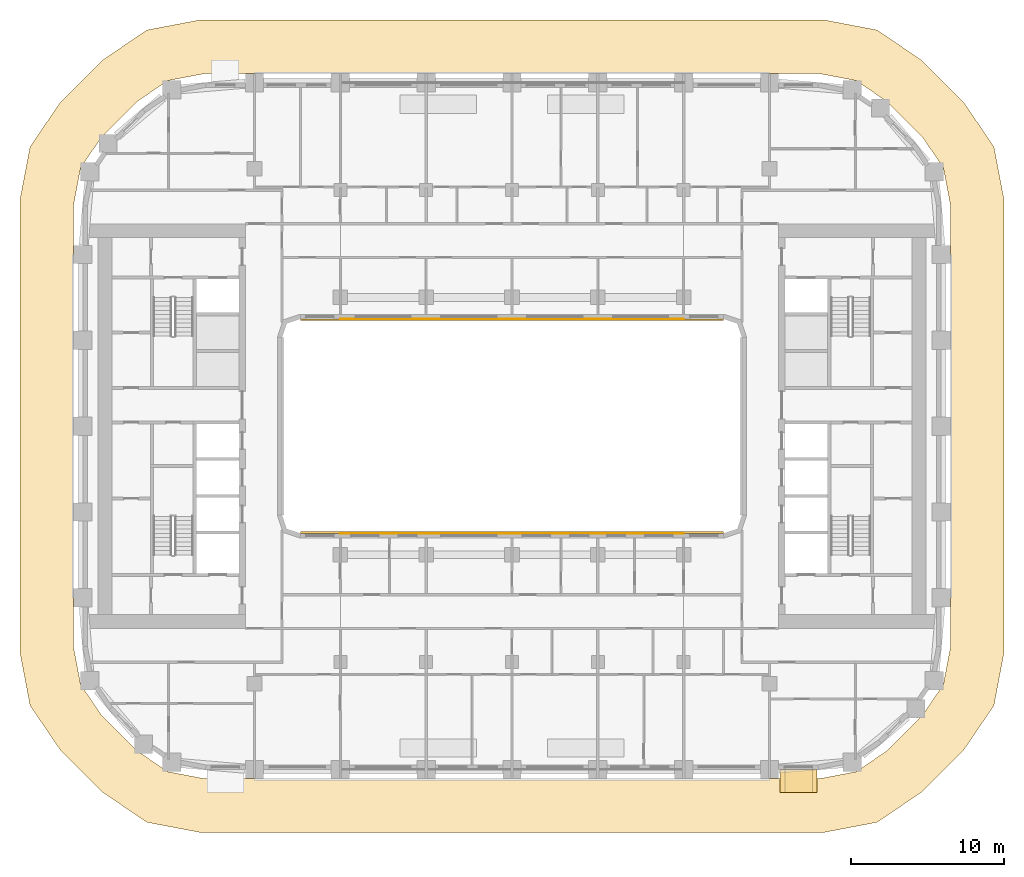
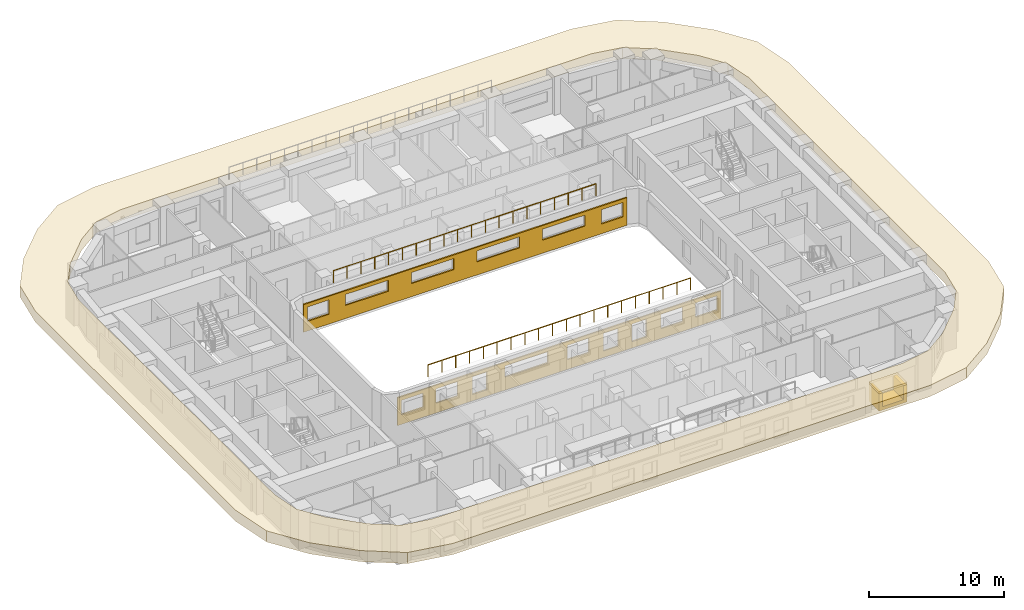
# One storey, part 15 of 18: 5 coverings, 2 railings.
"""IFC4 building model written with IfcOpenShell, lengths in metres."""

from ifc_helpers import new_model, si_unit, direction, frame, origin, origin_2d, place, context, subcontext, project, spatial, polyline, rectangle, circle, outline, extrude, material, layer, layer_set, type_object, element, save


model = new_model("IFC4")

# Units and contexts
model_context = context("Model", 3, precision=1e-05, world=origin(), true_north=direction((0.0, 1.0)))
body_context = subcontext(model_context, "Body", "Model", "MODEL_VIEW")
ifc_project = project(units=[si_unit("LENGTHUNIT", "METRE"), si_unit("AREAUNIT", "SQUARE_METRE"), si_unit("VOLUMEUNIT", "CUBIC_METRE"), si_unit("PLANEANGLEUNIT", "RADIAN"), si_unit("MASSUNIT", "GRAM", prefix="KILO")], contexts=[model_context])

# Site, building, storey
site_placement = place(None, origin())
site = spatial("IfcSite", under=ifc_project, at=site_placement, CompositionType="ELEMENT")
building_placement = place(site_placement, origin())
building = spatial("IfcBuilding", under=site, at=building_placement, Name="Kiln Ring Residences", CompositionType="ELEMENT")
storey_placement = place(building_placement, frame((0.0, 0.0, 121.800048828125)))
storey = spatial("IfcBuildingStorey", under=building, at=storey_placement, Name="L31", CompositionType="ELEMENT", Elevation=121.800048828125)

# Coverings
ifc_material_1 = material(Name="Brick masonry, dark clay brick", Category="masonry")
ifc_layer_1 = layer(ifc_material_1, 0.300048828125)
ifc_layer_set_1 = layer_set([ifc_layer_1], Name="FRAME CHEEKS AND SILL 1500")
covering_type_1 = type_object("IfcCoveringType", Name="FRAME CHEEKS AND SILL 1500", PredefinedType="CLADDING", material=ifc_layer_set_1)
covering_1_placement = place(storey_placement, frame((17.5, -23.14990234375, 0.599853515625), z_axis=(0.0, 0.0, 1.0), x_axis=(1.0, 0.0, 0.0)))
element("IfcCovering", 1, at=covering_1_placement, inside=storey, type_object=covering_type_1, Name="FRAME L31", PredefinedType="CLADDING", context=body_context, shape_type="SweptSolid", body=[
    extrude(outline(polyline([(0.0, 0.0), (2.39990234375, 0.0), (2.39990234375, 1.550048828125), (2.10107421875, 1.550048828125), (2.10009765625, 0.300048828125), (0.300048828125, 0.300048828125), (0.299072265625, 1.550048828125), (0.0, 1.550048828125), (0.0, 0.0)])), frame((0.0, 0.75, 0.0), z_axis=(0.0, -1.0, 0.0), x_axis=(1.0, 0.0, 0.0)), (0.0, 0.0, 1.0), 1.5),
])
ifc_material_2 = material(Name="Brick masonry, dark clay brick", Category="masonry")
ifc_layer_2 = layer(ifc_material_2, 0.199951171875)
ifc_layer_set_2 = layer_set([ifc_layer_2], Name="FRAME HEAD 1500")
covering_type_2 = type_object("IfcCoveringType", Name="FRAME HEAD 1500", PredefinedType="CLADDING", material=ifc_layer_set_2)
covering_2_placement = place(storey_placement, frame((18.699951171875, -23.14990234375, 2.14990234375), z_axis=(0.0, 0.0, 1.0), x_axis=(1.0, 0.0, 0.0)))
element("IfcCovering", 2, at=covering_2_placement, inside=storey, type_object=covering_type_2, Name="FRAME HEAD L31", PredefinedType="CLADDING", context=body_context, shape_type="SweptSolid", body=[
    extrude(rectangle(XDim=2.39990234375, YDim=1.5, at=origin_2d()), origin(), (0.0, 0.0, 1.0), 0.199951171875),
])
ifc_material_3 = material(Name="Brick masonry, dark clay brick", Category="masonry")
ifc_layer_3 = layer(ifc_material_3, 0.1201171875)
ifc_layer_set_3 = layer_set([ifc_layer_3], Name="RAINSCREEN PANEL 120")
covering_type_3 = type_object("IfcCoveringType", Name="RAINSCREEN PANEL 120", PredefinedType="CLADDING", material=ifc_layer_set_3)
covering_3_placement = place(storey_placement, frame((-13.800048828125, 6.93994140625, 0.0), z_axis=(0.0, 0.0, 1.0), x_axis=(1.0, 0.0, 0.0)))
element("IfcCovering", 3, at=covering_3_placement, inside=storey, type_object=covering_type_3, Name="RAINSCREEN L31", PredefinedType="CLADDING", context=body_context, shape_type="SweptSolid", body=[
    extrude(outline(polyline([(0.0, 0.0), (27.60009765625, 0.0), (27.60009765625, 2.5), (0.0, 2.5), (0.0, 0.0)]), holes=[polyline([(2.1826171875, 0.8798828125), (2.1826171875, 2.169921875), (0.342529296875, 2.169921875), (0.342529296875, 0.8798828125), (2.1826171875, 0.8798828125)]), polyline([(25.41748046875, 0.8798828125), (27.257568359375, 0.8798828125), (27.257568359375, 2.169921875), (25.41748046875, 2.169921875), (25.41748046875, 0.8798828125)]), polyline([(3.580078125, 1.179931640625), (7.219970703125, 1.179931640625), (7.219970703125, 2.169921875), (3.580078125, 2.169921875), (3.580078125, 1.179931640625)]), polyline([(12.820068359375, 1.179931640625), (12.820068359375, 2.169921875), (9.179931640625, 2.169921875), (9.179931640625, 1.179931640625), (12.820068359375, 1.179931640625)]), polyline([(14.780029296875, 1.179931640625), (18.419921875, 1.179931640625), (18.419921875, 2.169921875), (14.780029296875, 2.169921875), (14.780029296875, 1.179931640625)]), polyline([(20.3798828125, 1.179931640625), (24.02001953125, 1.179931640625), (24.02001953125, 2.169921875), (20.3798828125, 2.169921875), (20.3798828125, 1.179931640625)])]), frame((0.0, 0.06005859375, 0.0), z_axis=(0.0, -1.0, 0.0), x_axis=(1.0, 0.0, 0.0)), (0.0, 0.0, 1.0), 0.1201171875),
])
covering_4_placement = place(storey_placement, frame((13.800048828125, -6.93994140625, 0.0), z_axis=(0.0, 0.0, 1.0), x_axis=(-1.0, 0.0, 0.0)))
element("IfcCovering", 4, at=covering_4_placement, inside=storey, type_object=covering_type_3, Name="RAINSCREEN L31", PredefinedType="CLADDING", context=body_context, shape_type="SweptSolid", body=[
    extrude(outline(polyline([(0.0, 0.0), (27.60009765625, 0.0), (27.60009765625, 2.5), (0.0, 2.5), (0.0, 0.0)]), holes=[polyline([(6.3798828125, 0.579833984375), (7.6201171875, 0.579833984375), (7.6201171875, 2.169921875), (6.3798828125, 2.169921875), (6.3798828125, 0.579833984375)]), polyline([(8.780029296875, 0.579833984375), (10.02001953125, 0.579833984375), (10.02001953125, 2.169921875), (8.780029296875, 2.169921875), (8.780029296875, 0.579833984375)]), polyline([(19.97998046875, 0.579833984375), (21.219970703125, 0.579833984375), (21.219970703125, 2.169921875), (19.97998046875, 2.169921875), (19.97998046875, 0.579833984375)]), polyline([(0.342529296875, 0.8798828125), (2.1826171875, 0.8798828125), (2.1826171875, 2.169921875), (0.342529296875, 2.169921875), (0.342529296875, 0.8798828125)]), polyline([(3.280029296875, 0.8798828125), (5.1201171875, 0.8798828125), (5.1201171875, 2.169921875), (3.280029296875, 2.169921875), (3.280029296875, 0.8798828125)]), polyline([(11.280029296875, 0.8798828125), (13.1201171875, 0.8798828125), (13.1201171875, 2.169921875), (11.280029296875, 2.169921875), (11.280029296875, 0.8798828125)]), polyline([(22.47998046875, 0.8798828125), (24.320068359375, 0.8798828125), (24.320068359375, 2.169921875), (22.47998046875, 2.169921875), (22.47998046875, 0.8798828125)]), polyline([(25.41748046875, 2.169921875), (25.41748046875, 0.8798828125), (27.257568359375, 0.8798828125), (27.257568359375, 2.169921875), (25.41748046875, 2.169921875)]), polyline([(14.780029296875, 2.169921875), (14.780029296875, 1.179931640625), (18.419921875, 1.179931640625), (18.419921875, 2.169921875), (14.780029296875, 2.169921875)])]), frame((0.0, 0.06005859375, 0.0), z_axis=(0.0, -1.0, 0.0), x_axis=(1.0, 0.0, 0.0)), (0.0, 0.0, 1.0), 0.1201171875),
])

# Railings
ifc_material_4 = material(Name="Black powder-coated steel", Category="steel")
railing_type = type_object("IfcRailingType", Name="ROOF GUARD 1100", PredefinedType="GUARDRAIL", material=ifc_material_4)
railing_1_placement = place(storey_placement, frame((-11.199951171875, 7.0, 3.5)))
element("IfcRailing", 5, at=railing_1_placement, inside=storey, type_object=railing_type, Name="GUARD L31 sky portal terrace", PredefinedType="GUARDRAIL", context=body_context, shape_type="SweptSolid", body=[
    extrude(circle(Radius=0.02392578125, at=origin_2d()), frame((0.0, 0.0, 1.076171875), z_axis=(1.0, 0.0, 0.0), x_axis=(0.0, 1.0, 0.0)), (0.0, 0.0, 1.0), 22.39990234375),
    extrude(circle(Radius=0.02099609375, at=origin_2d()), origin(), (0.0, 0.0, 1.0), 1.052001953125),
    extrude(circle(Radius=0.02099609375, at=origin_2d()), frame((1.178955078125, 0.0, 0.0)), (0.0, 0.0, 1.0), 1.052001953125),
    extrude(circle(Radius=0.02099609375, at=origin_2d()), frame((2.35791015625, 0.0, 0.0)), (0.0, 0.0, 1.0), 1.052001953125),
    extrude(circle(Radius=0.02099609375, at=origin_2d()), frame((3.536865234375, 0.0, 0.0)), (0.0, 0.0, 1.0), 1.052001953125),
    extrude(circle(Radius=0.02099609375, at=origin_2d()), frame((4.7158203125, 0.0, 0.0)), (0.0, 0.0, 1.0), 1.052001953125),
    extrude(circle(Radius=0.02099609375, at=origin_2d()), frame((5.894775390625, 0.0, 0.0)), (0.0, 0.0, 1.0), 1.052001953125),
    extrude(circle(Radius=0.02099609375, at=origin_2d()), frame((7.07373046875, 0.0, 0.0)), (0.0, 0.0, 1.0), 1.052001953125),
    extrude(circle(Radius=0.02099609375, at=origin_2d()), frame((8.252685546875, 0.0, 0.0)), (0.0, 0.0, 1.0), 1.052001953125),
    extrude(circle(Radius=0.02099609375, at=origin_2d()), frame((9.431640625, 0.0, 0.0)), (0.0, 0.0, 1.0), 1.052001953125),
    extrude(circle(Radius=0.02099609375, at=origin_2d()), frame((10.610595703125, 0.0, 0.0)), (0.0, 0.0, 1.0), 1.052001953125),
    extrude(circle(Radius=0.02099609375, at=origin_2d()), frame((11.789306640625, 0.0, 0.0)), (0.0, 0.0, 1.0), 1.052001953125),
    extrude(circle(Radius=0.02099609375, at=origin_2d()), frame((12.96826171875, 0.0, 0.0)), (0.0, 0.0, 1.0), 1.052001953125),
    extrude(circle(Radius=0.02099609375, at=origin_2d()), frame((14.147216796875, 0.0, 0.0)), (0.0, 0.0, 1.0), 1.052001953125),
    extrude(circle(Radius=0.02099609375, at=origin_2d()), frame((15.326171875, 0.0, 0.0)), (0.0, 0.0, 1.0), 1.052001953125),
    extrude(circle(Radius=0.02099609375, at=origin_2d()), frame((16.505126953125, 0.0, 0.0)), (0.0, 0.0, 1.0), 1.052001953125),
    extrude(circle(Radius=0.02099609375, at=origin_2d()), frame((17.68408203125, 0.0, 0.0)), (0.0, 0.0, 1.0), 1.052001953125),
    extrude(circle(Radius=0.02099609375, at=origin_2d()), frame((18.863037109375, 0.0, 0.0)), (0.0, 0.0, 1.0), 1.052001953125),
    extrude(circle(Radius=0.02099609375, at=origin_2d()), frame((20.0419921875, 0.0, 0.0)), (0.0, 0.0, 1.0), 1.052001953125),
    extrude(circle(Radius=0.02099609375, at=origin_2d()), frame((21.220947265625, 0.0, 0.0)), (0.0, 0.0, 1.0), 1.052001953125),
    extrude(circle(Radius=0.02099609375, at=origin_2d()), frame((22.39990234375, 0.0, 0.0)), (0.0, 0.0, 1.0), 1.052001953125),
])
railing_2_placement = place(storey_placement, frame((11.199951171875, -7.0, 3.5)))
element("IfcRailing", 6, at=railing_2_placement, inside=storey, type_object=railing_type, Name="GUARD L31 sky portal terrace", PredefinedType="GUARDRAIL", context=body_context, shape_type="SweptSolid", body=[
    extrude(circle(Radius=0.02392578125, at=origin_2d()), frame((0.0, 0.0, 1.076171875), z_axis=(-1.0, 0.0, 0.0), x_axis=(0.0, -1.0, 0.0)), (0.0, 0.0, 1.0), 22.39990234375),
    extrude(circle(Radius=0.02099609375, at=origin_2d()), origin(), (0.0, 0.0, 1.0), 1.052001953125),
    extrude(circle(Radius=0.02099609375, at=origin_2d()), frame((-1.178955078125, 0.0, 0.0)), (0.0, 0.0, 1.0), 1.052001953125),
    extrude(circle(Radius=0.02099609375, at=origin_2d()), frame((-2.35791015625, 0.0, 0.0)), (0.0, 0.0, 1.0), 1.052001953125),
    extrude(circle(Radius=0.02099609375, at=origin_2d()), frame((-3.536865234375, 0.0, 0.0)), (0.0, 0.0, 1.0), 1.052001953125),
    extrude(circle(Radius=0.02099609375, at=origin_2d()), frame((-4.7158203125, 0.0, 0.0)), (0.0, 0.0, 1.0), 1.052001953125),
    extrude(circle(Radius=0.02099609375, at=origin_2d()), frame((-5.894775390625, 0.0, 0.0)), (0.0, 0.0, 1.0), 1.052001953125),
    extrude(circle(Radius=0.02099609375, at=origin_2d()), frame((-7.07373046875, 0.0, 0.0)), (0.0, 0.0, 1.0), 1.052001953125),
    extrude(circle(Radius=0.02099609375, at=origin_2d()), frame((-8.252685546875, 0.0, 0.0)), (0.0, 0.0, 1.0), 1.052001953125),
    extrude(circle(Radius=0.02099609375, at=origin_2d()), frame((-9.431640625, 0.0, 0.0)), (0.0, 0.0, 1.0), 1.052001953125),
    extrude(circle(Radius=0.02099609375, at=origin_2d()), frame((-10.610595703125, 0.0, 0.0)), (0.0, 0.0, 1.0), 1.052001953125),
    extrude(circle(Radius=0.02099609375, at=origin_2d()), frame((-11.789306640625, 0.0, 0.0)), (0.0, 0.0, 1.0), 1.052001953125),
    extrude(circle(Radius=0.02099609375, at=origin_2d()), frame((-12.96826171875, 0.0, 0.0)), (0.0, 0.0, 1.0), 1.052001953125),
    extrude(circle(Radius=0.02099609375, at=origin_2d()), frame((-14.147216796875, 0.0, 0.0)), (0.0, 0.0, 1.0), 1.052001953125),
    extrude(circle(Radius=0.02099609375, at=origin_2d()), frame((-15.326171875, 0.0, 0.0)), (0.0, 0.0, 1.0), 1.052001953125),
    extrude(circle(Radius=0.02099609375, at=origin_2d()), frame((-16.505126953125, 0.0, 0.0)), (0.0, 0.0, 1.0), 1.052001953125),
    extrude(circle(Radius=0.02099609375, at=origin_2d()), frame((-17.68408203125, 0.0, 0.0)), (0.0, 0.0, 1.0), 1.052001953125),
    extrude(circle(Radius=0.02099609375, at=origin_2d()), frame((-18.863037109375, 0.0, 0.0)), (0.0, 0.0, 1.0), 1.052001953125),
    extrude(circle(Radius=0.02099609375, at=origin_2d()), frame((-20.0419921875, 0.0, 0.0)), (0.0, 0.0, 1.0), 1.052001953125),
    extrude(circle(Radius=0.02099609375, at=origin_2d()), frame((-21.220947265625, 0.0, 0.0)), (0.0, 0.0, 1.0), 1.052001953125),
    extrude(circle(Radius=0.02099609375, at=origin_2d()), frame((-22.39990234375, 0.0, 0.0)), (0.0, 0.0, 1.0), 1.052001953125),
])

# Covering
ifc_material_5 = material(Name="Black powder-coated steel", Category="steel")
ifc_layer_4 = layer(ifc_material_5, 1.0)
ifc_layer_set_4 = layer_set([ifc_layer_4], Name="SUNSHADE FIN 3500")
covering_type_4 = type_object("IfcCoveringType", Name="SUNSHADE FIN 3500", PredefinedType="CLADDING", material=ifc_layer_set_4)
covering_5_placement = place(storey_placement, frame((0.0, 0.0, 2.5)))
element("IfcCovering", 7, at=covering_5_placement, inside=storey, type_object=covering_type_4, Name="SUNSHADE FIN L31", PredefinedType="CLADDING", context=body_context, shape_type="SweptSolid", body=[
    extrude(outline(polyline([(-31.444091796875, -18.2265625), (-29.47607421875, -21.122314453125), (-26.72216796875, -23.876220703125), (-23.82666015625, -25.843994140625), (-20.387451171875, -26.5), (20.387451171875, -26.5), (23.82666015625, -25.843994140625), (26.72216796875, -23.876220703125), (29.47607421875, -21.122314453125), (31.444091796875, -18.2265625), (32.10009765625, -14.78759765625), (32.10009765625, 14.78759765625), (31.444091796875, 18.2265625), (29.47607421875, 21.122314453125), (26.72216796875, 23.876220703125), (23.82666015625, 25.843994140625), (20.387451171875, 26.5), (-20.387451171875, 26.5), (-23.82666015625, 25.843994140625), (-26.72216796875, 23.876220703125), (-29.47607421875, 21.122314453125), (-31.444091796875, 18.2265625), (-32.10009765625, 14.78759765625), (-32.10009765625, -14.78759765625), (-31.444091796875, -18.2265625)]), holes=[polyline([(-24.481201171875, -21.167236328125), (-26.767333984375, -18.881103515625), (-28.141845703125, -16.858642578125), (-28.60009765625, -14.456787109375), (-28.60009765625, 14.456787109375), (-28.141845703125, 16.858642578125), (-26.767333984375, 18.881103515625), (-24.481201171875, 21.167236328125), (-22.458740234375, 22.541748046875), (-20.056640625, 23.0), (20.056640625, 23.0), (22.458740234375, 22.541748046875), (24.481201171875, 21.167236328125), (26.767333984375, 18.881103515625), (28.141845703125, 16.858642578125), (28.60009765625, 14.456787109375), (28.60009765625, -14.456787109375), (28.141845703125, -16.858642578125), (26.767333984375, -18.881103515625), (24.481201171875, -21.167236328125), (22.458740234375, -22.541748046875), (20.056640625, -23.0), (-20.056640625, -23.0), (-22.458740234375, -22.541748046875), (-24.481201171875, -21.167236328125)])]), origin(), (0.0, 0.0, 1.0), 1.0),
])

save(model, "model.ifc")
